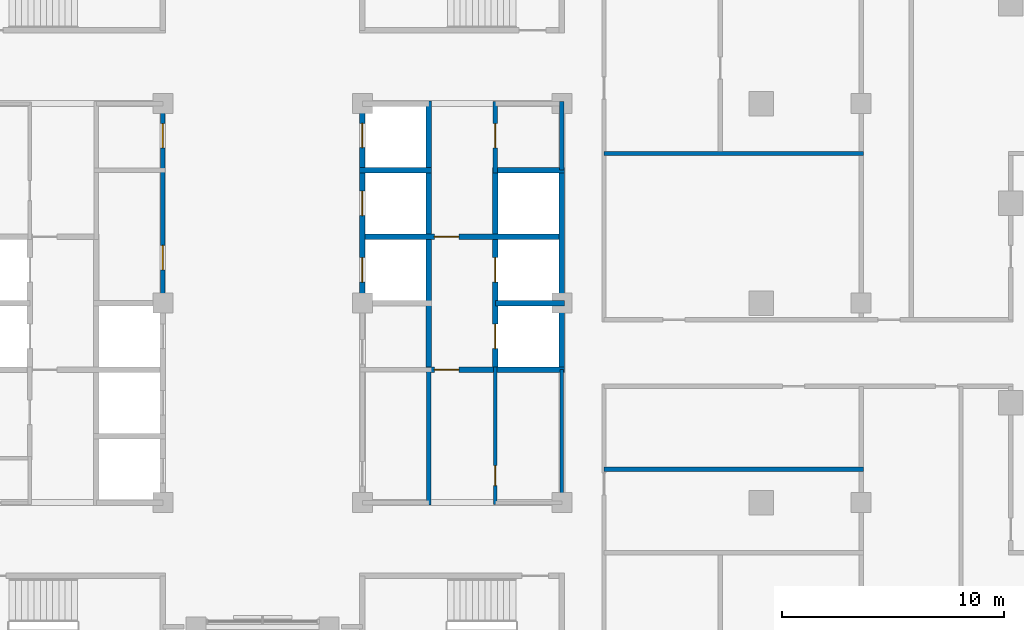
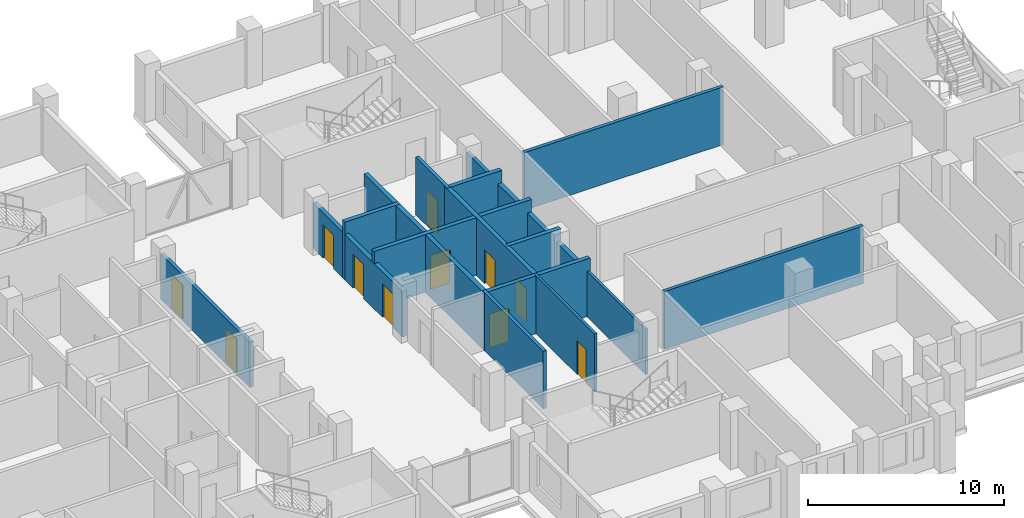
# One storey, part 9 of 16: 17 walls, 11 doors, 11 openings.
"""IFC4 building model written with IfcOpenShell, lengths in metres."""

from ifc_helpers import new_model, si_unit, direction, frame, frame_2d, origin, place, context, subcontext, project, spatial, rectangle, extrude, material, layer, layer_set, type_object, element, fill, save


model = new_model("IFC4")

# Units and contexts
model_context = context("Model", 3, precision=1e-05, world=origin(), true_north=direction((0.0, 1.0)))
body_context = subcontext(model_context, "Body", "Model", "MODEL_VIEW")
ifc_project = project(units=[si_unit("LENGTHUNIT", "METRE"), si_unit("AREAUNIT", "SQUARE_METRE"), si_unit("VOLUMEUNIT", "CUBIC_METRE"), si_unit("PLANEANGLEUNIT", "RADIAN"), si_unit("MASSUNIT", "GRAM", prefix="KILO")], contexts=[model_context])

# Site, building, storey
site_placement = place(None, origin())
site = spatial("IfcSite", under=ifc_project, at=site_placement, CompositionType="ELEMENT")
building_placement = place(site_placement, origin())
building = spatial("IfcBuilding", under=site, at=building_placement, Name="Corbelhall Arena Tower", CompositionType="ELEMENT")
storey_placement = place(building_placement, frame((0.0, 0.0, 174.0)))
storey = spatial("IfcBuildingStorey", under=building, at=storey_placement, Name="L35", CompositionType="ELEMENT", Elevation=174.0)

# Walls
ifc_material_1 = material(Name="Gypsum board on steel stud, acoustic", Category="steel")
ifc_layer_1 = layer(ifc_material_1, 0.199951171875)
ifc_layer_set_1 = layer_set([ifc_layer_1], Name="IN-W-DM200")
wall_type_1 = type_object("IfcWallType", Name="IN-W-DM200", PredefinedType="PARTITIONING", material=ifc_layer_set_1)
for number, where, z_axis, x_axis, name in (
    (1, (15.39990234375, -7.5, 0.0), (0.0, 0.0, 1.0), (1.0, 0.0, 0.0), "Partition 032"),
    (2, (15.39990234375, 6.75, 0.0), (0.0, 0.0, 1.0), (1.0, 0.0, 0.0), "Partition 034"),
):
    element("IfcWall", number, at=place(storey_placement, frame(where, z_axis=z_axis, x_axis=x_axis)), inside=storey, type_object=wall_type_1, Name=name, PredefinedType="PARTITIONING", context=body_context, shape_type="SweptSolid", body=[
        extrude(rectangle(XDim=11.7001953125, YDim=0.199951171875, at=frame_2d((5.85009765625, 0.0))), origin(), (0.0, 0.0, 1.0), 3.590087890625),
    ])
ifc_material_2 = material(Name="Concrete block wall", Category="concrete")
ifc_layer_2 = layer(ifc_material_2, 0.199951171875)
ifc_layer_set_2 = layer_set([ifc_layer_2], Name="IN-W-RS200")
wall_type_2 = type_object("IfcWallType", Name="IN-W-RS200", PredefinedType="SOLIDWALL", material=ifc_layer_set_2)
wall_1_placement = place(storey_placement, frame((7.5, -2.875, 0.0), z_axis=(0.0, 0.0, 1.0), x_axis=(0.0, -1.0, 0.0)))
element("IfcWall", 3, at=wall_1_placement, inside=storey, type_object=wall_type_2, Name="Partition 057", PredefinedType="SOLIDWALL", context=body_context, shape_type="SweptSolid", body=[
    extrude(rectangle(XDim=6.22509765625, YDim=0.199951171875, at=frame_2d((3.112548828125, 0.0))), origin(), (0.0, 0.0, 1.0), 3.590087890625),
])

# Wall, opening, door
wall_2_placement = place(storey_placement, frame((10.5, 9.10009765625, 0.0), z_axis=(0.0, 0.0, 1.0), x_axis=(0.0, -1.0, 0.0)))
wall_2 = element("IfcWall", 4, at=wall_2_placement, inside=storey, type_object=wall_type_2, Name="Partition 059", PredefinedType="SOLIDWALL", context=body_context, shape_type="SweptSolid", body=[
    extrude(rectangle(XDim=3.22509765625, YDim=0.199951171875, at=frame_2d((1.612548828125, 0.0))), origin(), (0.0, 0.0, 1.0), 3.590087890625),
])
opening_1_placement = place(wall_2_placement, frame((1.0, 0.0, 0.0)))
opening_1 = element("IfcOpeningElement", 5, at=opening_1_placement, cuts=wall_2, Name="Opening 10013", PredefinedType="OPENING", context=body_context, shape_type="SweptSolid", body=[
    extrude(rectangle(XDim=1.10009765625, YDim=2.10009765625, at=frame_2d((0.550048828125, 1.050048828125))), frame((0.0, 0.10009765625, 0.0), z_axis=(0.0, -1.0, 0.0), x_axis=(1.0, 0.0, 0.0)), (0.0, 0.0, 1.0), 0.199951171875),
])
ifc_material_3 = material(Name="Steel door set", Category="steel")
door_type_1 = type_object("IfcDoorType", Name="IN-D-FD110", OperationType="NOTDEFINED", PredefinedType="DOOR", material=ifc_material_3)
door_1_placement = place(opening_1_placement, origin())
door_1 = element("IfcDoor", 6, at=door_1_placement, inside=storey, type_object=door_type_1, Name="Door 013", OperationType="SINGLE_SWING_RIGHT", OverallHeight=2.10009765625, OverallWidth=1.10009765625, PredefinedType="DOOR", context=body_context, shape_type="SweptSolid", body=[
    extrude(rectangle(XDim=1.10009765625, YDim=2.10009765625, at=frame_2d((0.550048828125, 1.050048828125))), frame((0.0, 0.02490234375, 0.0), z_axis=(0.0, -1.0, 0.0), x_axis=(1.0, 0.0, 0.0)), (0.0, 0.0, 1.0), 0.050048828125),
])
fill(opening_1, door_1)

# Wall, openings, doors
ifc_layer_3 = layer(ifc_material_2, 0.199951171875)
ifc_layer_set_3 = layer_set([ifc_layer_3], Name="IN-W-RS200 under beam 762 mm")
wall_type_3 = type_object("IfcWallType", Name="IN-W-RS200 under beam 762 mm", PredefinedType="SOLIDWALL", material=ifc_layer_set_3)
wall_3_placement = place(storey_placement, frame((-4.5, 9.10009765625, 0.0), z_axis=(0.0, 0.0, 1.0), x_axis=(0.0, -1.0, 0.0)))
wall_3 = element("IfcWall", 7, at=wall_3_placement, inside=storey, type_object=wall_type_3, Name="Partition 053", PredefinedType="SOLIDWALL", context=body_context, shape_type="SweptSolid", body=[
    extrude(rectangle(XDim=9.10009765625, YDim=0.199951171875, at=frame_2d((4.550048828125, 0.0))), origin(), (0.0, 0.0, 1.0), 2.827880859375),
])
opening_2_placement = place(wall_3_placement, frame((6.5, 0.0, 0.0)))
opening_2 = element("IfcOpeningElement", 8, at=opening_2_placement, cuts=wall_3, Name="Opening 10001", PredefinedType="OPENING", context=body_context, shape_type="SweptSolid", body=[
    extrude(rectangle(XDim=1.10009765625, YDim=2.10009765625, at=frame_2d((0.550048828125, 1.050048828125))), frame((0.0, 0.10009765625, 0.0), z_axis=(0.0, -1.0, 0.0), x_axis=(1.0, 0.0, 0.0)), (0.0, 0.0, 1.0), 0.199951171875),
])
opening_3_placement = place(wall_3_placement, frame((1.0, 0.0, 0.0)))
opening_3 = element("IfcOpeningElement", 9, at=opening_3_placement, cuts=wall_3, Name="Opening 10002", PredefinedType="OPENING", context=body_context, shape_type="SweptSolid", body=[
    extrude(rectangle(XDim=1.10009765625, YDim=2.10009765625, at=frame_2d((0.550048828125, 1.050048828125))), frame((0.0, 0.10009765625, 0.0), z_axis=(0.0, -1.0, 0.0), x_axis=(1.0, 0.0, 0.0)), (0.0, 0.0, 1.0), 0.199951171875),
])
door_2_placement = place(opening_2_placement, origin())
door_2 = element("IfcDoor", 10, at=door_2_placement, inside=storey, type_object=door_type_1, Name="Door 001", OperationType="SINGLE_SWING_RIGHT", OverallHeight=2.10009765625, OverallWidth=1.10009765625, PredefinedType="DOOR", context=body_context, shape_type="SweptSolid", body=[
    extrude(rectangle(XDim=1.10009765625, YDim=2.10009765625, at=frame_2d((0.550048828125, 1.050048828125))), frame((0.0, 0.02490234375, 0.0), z_axis=(0.0, -1.0, 0.0), x_axis=(1.0, 0.0, 0.0)), (0.0, 0.0, 1.0), 0.050048828125),
])
fill(opening_2, door_2)
door_3_placement = place(opening_3_placement, origin())
door_3 = element("IfcDoor", 11, at=door_3_placement, inside=storey, type_object=door_type_1, Name="Door 002", OperationType="SINGLE_SWING_LEFT", OverallHeight=2.10009765625, OverallWidth=1.10009765625, PredefinedType="DOOR", context=body_context, shape_type="SweptSolid", body=[
    extrude(rectangle(XDim=1.10009765625, YDim=2.10009765625, at=frame_2d((0.550048828125, 1.050048828125))), frame((0.0, 0.02490234375, 0.0), z_axis=(0.0, -1.0, 0.0), x_axis=(1.0, 0.0, 0.0)), (0.0, 0.0, 1.0), 0.050048828125),
])
fill(opening_3, door_3)

# Wall
wall_4_placement = place(storey_placement, frame((13.5, 9.10009765625, 0.0), z_axis=(0.0, 0.0, 1.0), x_axis=(0.0, -1.0, 0.0)))
element("IfcWall", 12, at=wall_4_placement, inside=storey, type_object=wall_type_3, Name="Partition 060", PredefinedType="SOLIDWALL", context=body_context, shape_type="SweptSolid", body=[
    extrude(rectangle(XDim=3.10009765625, YDim=0.199951171875, at=frame_2d((1.550048828125, 0.0))), origin(), (0.0, 0.0, 1.0), 2.827880859375),
])

# Wall, opening, door
ifc_material_4 = material(Name="Concrete C40/50", Category="concrete")
ifc_layer_4 = layer(ifc_material_4, 0.25)
ifc_layer_set_4 = layer_set([ifc_layer_4], Name="IN-W-SH250")
wall_type_4 = type_object("IfcWallType", Name="IN-W-SH250", PredefinedType="SOLIDWALL", material=ifc_layer_set_4)
wall_5_placement = place(storey_placement, frame((4.375, 3.0, 0.0), z_axis=(0.0, 0.0, 1.0), x_axis=(1.0, 0.0, 0.0)))
wall_5 = element("IfcWall", 13, at=wall_5_placement, inside=storey, type_object=wall_type_4, Name="Shaft wall 072", PredefinedType="SOLIDWALL", context=body_context, shape_type="SweptSolid", body=[
    extrude(rectangle(XDim=9.25, YDim=0.25, at=frame_2d((4.625, 0.0))), origin(), (0.0, 0.0, 1.0), 3.590087890625),
])
opening_4_placement = place(wall_5_placement, frame((3.375, 0.0, 0.0)))
opening_4 = element("IfcOpeningElement", 14, at=opening_4_placement, cuts=wall_5, Name="Opening 10011", PredefinedType="OPENING", context=body_context, shape_type="SweptSolid", body=[
    extrude(rectangle(XDim=1.10009765625, YDim=2.10009765625, at=frame_2d((0.550048828125, 1.050048828125))), frame((0.0, 0.125, 0.0), z_axis=(0.0, -1.0, 0.0), x_axis=(1.0, 0.0, 0.0)), (0.0, 0.0, 1.0), 0.25),
])
door_4_placement = place(opening_4_placement, origin())
door_4 = element("IfcDoor", 15, at=door_4_placement, inside=storey, type_object=door_type_1, Name="Door 011", OperationType="SINGLE_SWING_RIGHT", OverallHeight=2.10009765625, OverallWidth=1.10009765625, PredefinedType="DOOR", context=body_context, shape_type="SweptSolid", body=[
    extrude(rectangle(XDim=1.10009765625, YDim=2.10009765625, at=frame_2d((0.550048828125, 1.050048828125))), frame((0.0, 0.02490234375, 0.0), z_axis=(0.0, -1.0, 0.0), x_axis=(1.0, 0.0, 0.0)), (0.0, 0.0, 1.0), 0.050048828125),
])
fill(opening_4, door_4)

# Wall
wall_6_placement = place(storey_placement, frame((4.375, 6.0, 0.0), z_axis=(0.0, 0.0, 1.0), x_axis=(1.0, 0.0, 0.0)))
element("IfcWall", 16, at=wall_6_placement, inside=storey, type_object=wall_type_4, Name="Shaft wall 073", PredefinedType="SOLIDWALL", context=body_context, shape_type="SweptSolid", body=[
    extrude(rectangle(XDim=3.25, YDim=0.25, at=frame_2d((1.625, 0.0))), origin(), (0.0, 0.0, 1.0), 3.590087890625),
])

# Wall, opening, door
wall_7_placement = place(storey_placement, frame((7.5, -3.0, 0.0), z_axis=(0.0, 0.0, 1.0), x_axis=(1.0, 0.0, 0.0)))
wall_7 = element("IfcWall", 17, at=wall_7_placement, inside=storey, type_object=wall_type_4, Name="Shaft wall 076", PredefinedType="SOLIDWALL", context=body_context, shape_type="SweptSolid", body=[
    extrude(rectangle(XDim=6.125, YDim=0.25, at=frame_2d((3.0625, 0.0))), origin(), (0.0, 0.0, 1.0), 3.590087890625),
])
opening_5_placement = place(wall_7_placement, frame((0.25, 0.0, 0.0)))
opening_5 = element("IfcOpeningElement", 18, at=opening_5_placement, cuts=wall_7, Name="Opening 10010", PredefinedType="OPENING", context=body_context, shape_type="SweptSolid", body=[
    extrude(rectangle(XDim=1.10009765625, YDim=2.10009765625, at=frame_2d((0.550048828125, 1.050048828125))), frame((0.0, 0.125, 0.0), z_axis=(0.0, -1.0, 0.0), x_axis=(1.0, 0.0, 0.0)), (0.0, 0.0, 1.0), 0.25),
])
door_5_placement = place(opening_5_placement, origin())
door_5 = element("IfcDoor", 19, at=door_5_placement, inside=storey, type_object=door_type_1, Name="Door 010", OperationType="SINGLE_SWING_LEFT", OverallHeight=2.10009765625, OverallWidth=1.10009765625, PredefinedType="DOOR", context=body_context, shape_type="SweptSolid", body=[
    extrude(rectangle(XDim=1.10009765625, YDim=2.10009765625, at=frame_2d((0.550048828125, 1.050048828125))), frame((0.0, 0.02490234375, 0.0), z_axis=(0.0, -1.0, 0.0), x_axis=(1.0, 0.0, 0.0)), (0.0, 0.0, 1.0), 0.050048828125),
])
fill(opening_5, door_5)

# Walls
wall_8_placement = place(storey_placement, frame((7.5, 9.125, 0.0), z_axis=(0.0, 0.0, 1.0), x_axis=(0.0, -1.0, 0.0)))
element("IfcWall", 20, at=wall_8_placement, inside=storey, type_object=wall_type_4, Name="Shaft wall 077", PredefinedType="SOLIDWALL", context=body_context, shape_type="SweptSolid", body=[
    extrude(rectangle(XDim=12.25, YDim=0.25, at=frame_2d((6.125, 0.0))), origin(), (0.0, 0.0, 1.0), 3.590087890625),
])
wall_9_placement = place(storey_placement, frame((10.5, 0.0, 0.0), z_axis=(0.0, 0.0, 1.0), x_axis=(1.0, 0.0, 0.0)))
element("IfcWall", 21, at=wall_9_placement, inside=storey, type_object=wall_type_4, Name="Shaft wall 078", PredefinedType="SOLIDWALL", context=body_context, shape_type="SweptSolid", body=[
    extrude(rectangle(XDim=3.125, YDim=0.25, at=frame_2d((1.5625, 0.0))), origin(), (0.0, 0.0, 1.0), 3.590087890625),
])

# Wall, openings, doors
wall_10_placement = place(storey_placement, frame((10.5, 6.125, 0.0), z_axis=(0.0, 0.0, 1.0), x_axis=(0.0, -1.0, 0.0)))
wall_10 = element("IfcWall", 22, at=wall_10_placement, inside=storey, type_object=wall_type_4, Name="Shaft wall 079", PredefinedType="SOLIDWALL", context=body_context, shape_type="SweptSolid", body=[
    extrude(rectangle(XDim=9.25, YDim=0.25, at=frame_2d((4.625, 0.0))), origin(), (0.0, 0.0, 1.0), 3.590087890625),
])
opening_6_placement = place(wall_10_placement, frame((7.074951171875, 0.0, 0.0)))
opening_6 = element("IfcOpeningElement", 23, at=opening_6_placement, cuts=wall_10, Name="Opening LD", PredefinedType="OPENING", context=body_context, shape_type="SweptSolid", body=[
    extrude(rectangle(XDim=1.10009765625, YDim=2.10009765625, at=frame_2d((0.550048828125, 1.050048828125))), frame((0.0, 0.125, 0.0), z_axis=(0.0, -1.0, 0.0), x_axis=(1.0, 0.0, 0.0)), (0.0, 0.0, 1.0), 0.25),
])
opening_7_placement = place(wall_10_placement, frame((4.074951171875, 0.0, 0.0)))
opening_7 = element("IfcOpeningElement", 24, at=opening_7_placement, cuts=wall_10, Name="Opening LD", PredefinedType="OPENING", context=body_context, shape_type="SweptSolid", body=[
    extrude(rectangle(XDim=1.10009765625, YDim=2.10009765625, at=frame_2d((0.550048828125, 1.050048828125))), frame((0.0, 0.125, 0.0), z_axis=(0.0, -1.0, 0.0), x_axis=(1.0, 0.0, 0.0)), (0.0, 0.0, 1.0), 0.25),
])
door_type_2 = type_object("IfcDoorType", Name="IN-D-LD110", OperationType="NOTDEFINED", PredefinedType="DOOR", material=ifc_material_3)
door_6_placement = place(opening_6_placement, origin())
door_6 = element("IfcDoor", 25, at=door_6_placement, inside=storey, type_object=door_type_2, Name="Landing door E3", OperationType="SLIDING_TO_LEFT", OverallHeight=2.10009765625, OverallWidth=1.10009765625, PredefinedType="DOOR", context=body_context, shape_type="SweptSolid", body=[
    extrude(rectangle(XDim=1.10009765625, YDim=2.10009765625, at=frame_2d((0.550048828125, 1.050048828125))), frame((0.0, 0.02490234375, 0.0), z_axis=(0.0, -1.0, 0.0), x_axis=(1.0, 0.0, 0.0)), (0.0, 0.0, 1.0), 0.050048828125),
])
fill(opening_6, door_6)
door_7_placement = place(opening_7_placement, origin())
door_7 = element("IfcDoor", 26, at=door_7_placement, inside=storey, type_object=door_type_2, Name="Landing door E4", OperationType="SLIDING_TO_LEFT", OverallHeight=2.10009765625, OverallWidth=1.10009765625, PredefinedType="DOOR", context=body_context, shape_type="SweptSolid", body=[
    extrude(rectangle(XDim=1.10009765625, YDim=2.10009765625, at=frame_2d((0.550048828125, 1.050048828125))), frame((0.0, 0.02490234375, 0.0), z_axis=(0.0, -1.0, 0.0), x_axis=(1.0, 0.0, 0.0)), (0.0, 0.0, 1.0), 0.050048828125),
])
fill(opening_7, door_7)

# Wall
wall_11_placement = place(storey_placement, frame((10.5, 6.0, 0.0), z_axis=(0.0, 0.0, 1.0), x_axis=(1.0, 0.0, 0.0)))
element("IfcWall", 27, at=wall_11_placement, inside=storey, type_object=wall_type_4, Name="Shaft wall 080", PredefinedType="SOLIDWALL", context=body_context, shape_type="SweptSolid", body=[
    extrude(rectangle(XDim=3.125, YDim=0.25, at=frame_2d((1.5625, 0.0))), origin(), (0.0, 0.0, 1.0), 3.590087890625),
])

# Wall, openings, doors
ifc_layer_5 = layer(ifc_material_4, 0.25)
ifc_layer_set_5 = layer_set([ifc_layer_5], Name="IN-W-SH250 under beam 762 mm")
wall_type_5 = type_object("IfcWallType", Name="IN-W-SH250 under beam 762 mm", PredefinedType="SOLIDWALL", material=ifc_layer_set_5)
wall_12_placement = place(storey_placement, frame((4.5, 0.0, 0.0), z_axis=(0.0, 0.0, 1.0), x_axis=(0.0, 1.0, 0.0)))
wall_12 = element("IfcWall", 28, at=wall_12_placement, inside=storey, type_object=wall_type_5, Name="Shaft wall 074", PredefinedType="SOLIDWALL", context=body_context, shape_type="SweptSolid", body=[
    extrude(rectangle(XDim=9.125, YDim=0.25, at=frame_2d((4.5625, 0.0))), origin(), (0.0, 0.0, 1.0), 2.827880859375),
])
opening_8_placement = place(wall_12_placement, frame((0.949951171875, 0.0, 0.0)))
opening_8 = element("IfcOpeningElement", 29, at=opening_8_placement, cuts=wall_12, Name="Opening LD", PredefinedType="OPENING", context=body_context, shape_type="SweptSolid", body=[
    extrude(rectangle(XDim=1.10009765625, YDim=2.10009765625, at=frame_2d((0.550048828125, 1.050048828125))), frame((0.0, 0.125, 0.0), z_axis=(0.0, -1.0, 0.0), x_axis=(1.0, 0.0, 0.0)), (0.0, 0.0, 1.0), 0.25),
])
opening_9_placement = place(wall_12_placement, frame((3.949951171875, 0.0, 0.0)))
opening_9 = element("IfcOpeningElement", 30, at=opening_9_placement, cuts=wall_12, Name="Opening LD", PredefinedType="OPENING", context=body_context, shape_type="SweptSolid", body=[
    extrude(rectangle(XDim=1.10009765625, YDim=2.10009765625, at=frame_2d((0.550048828125, 1.050048828125))), frame((0.0, 0.125, 0.0), z_axis=(0.0, -1.0, 0.0), x_axis=(1.0, 0.0, 0.0)), (0.0, 0.0, 1.0), 0.25),
])
opening_10_placement = place(wall_12_placement, frame((7.012451171875, 0.0, 0.0)))
opening_10 = element("IfcOpeningElement", 31, at=opening_10_placement, cuts=wall_12, Name="Opening LD", PredefinedType="OPENING", context=body_context, shape_type="SweptSolid", body=[
    extrude(rectangle(XDim=1.10009765625, YDim=2.10009765625, at=frame_2d((0.550048828125, 1.050048828125))), frame((0.0, 0.125, 0.0), z_axis=(0.0, -1.0, 0.0), x_axis=(1.0, 0.0, 0.0)), (0.0, 0.0, 1.0), 0.25),
])
door_8_placement = place(opening_8_placement, origin())
door_8 = element("IfcDoor", 32, at=door_8_placement, inside=storey, type_object=door_type_2, Name="Landing door E4", OperationType="SLIDING_TO_LEFT", OverallHeight=2.10009765625, OverallWidth=1.10009765625, PredefinedType="DOOR", context=body_context, shape_type="SweptSolid", body=[
    extrude(rectangle(XDim=1.10009765625, YDim=2.10009765625, at=frame_2d((0.550048828125, 1.050048828125))), frame((0.0, 0.02490234375, 0.0), z_axis=(0.0, -1.0, 0.0), x_axis=(1.0, 0.0, 0.0)), (0.0, 0.0, 1.0), 0.050048828125),
])
fill(opening_8, door_8)
door_9_placement = place(opening_9_placement, origin())
door_9 = element("IfcDoor", 33, at=door_9_placement, inside=storey, type_object=door_type_2, Name="Landing door E5", OperationType="SLIDING_TO_LEFT", OverallHeight=2.10009765625, OverallWidth=1.10009765625, PredefinedType="DOOR", context=body_context, shape_type="SweptSolid", body=[
    extrude(rectangle(XDim=1.10009765625, YDim=2.10009765625, at=frame_2d((0.550048828125, 1.050048828125))), frame((0.0, 0.02490234375, 0.0), z_axis=(0.0, -1.0, 0.0), x_axis=(1.0, 0.0, 0.0)), (0.0, 0.0, 1.0), 0.050048828125),
])
fill(opening_9, door_9)
door_10_placement = place(opening_10_placement, origin())
door_10 = element("IfcDoor", 34, at=door_10_placement, inside=storey, type_object=door_type_2, Name="Landing door E6", OperationType="SLIDING_TO_LEFT", OverallHeight=2.10009765625, OverallWidth=1.10009765625, PredefinedType="DOOR", context=body_context, shape_type="SweptSolid", body=[
    extrude(rectangle(XDim=1.10009765625, YDim=2.10009765625, at=frame_2d((0.550048828125, 1.050048828125))), frame((0.0, 0.02490234375, 0.0), z_axis=(0.0, -1.0, 0.0), x_axis=(1.0, 0.0, 0.0)), (0.0, 0.0, 1.0), 0.050048828125),
])
fill(opening_10, door_10)

# Wall
wall_13_placement = place(storey_placement, frame((13.5, 6.0, 0.0), z_axis=(0.0, 0.0, 1.0), x_axis=(0.0, -1.0, 0.0)))
element("IfcWall", 35, at=wall_13_placement, inside=storey, type_object=wall_type_5, Name="Shaft wall 081", PredefinedType="SOLIDWALL", context=body_context, shape_type="SweptSolid", body=[
    extrude(rectangle(XDim=9.0, YDim=0.25, at=frame_2d((4.5, 0.0))), origin(), (0.0, 0.0, 1.0), 2.827880859375),
])

# Wall, opening, door
ifc_material_5 = material(Name="Gypsum board on steel stud, moisture resistant", Category="steel")
ifc_layer_6 = layer(ifc_material_5, 0.14990234375)
ifc_layer_set_6 = layer_set([ifc_layer_6], Name="IN-W-WC150")
wall_type_6 = type_object("IfcWallType", Name="IN-W-WC150", PredefinedType="PARTITIONING", material=ifc_layer_set_6)
wall_14_placement = place(storey_placement, frame((10.5, -2.875, 0.0), z_axis=(0.0, 0.0, 1.0), x_axis=(0.0, -1.0, 0.0)))
wall_14 = element("IfcWall", 36, at=wall_14_placement, inside=storey, type_object=wall_type_6, Name="Partition 117", PredefinedType="PARTITIONING", context=body_context, shape_type="SweptSolid", body=[
    extrude(rectangle(XDim=6.199951171875, YDim=0.14990234375, at=frame_2d((3.10009765625, 0.0))), origin(), (0.0, 0.0, 1.0), 3.590087890625),
])
opening_11_placement = place(wall_14_placement, frame((4.449951171875, 0.0, 0.0)))
opening_11 = element("IfcOpeningElement", 37, at=opening_11_placement, cuts=wall_14, Name="Opening 10012", PredefinedType="OPENING", context=body_context, shape_type="SweptSolid", body=[
    extrude(rectangle(XDim=0.89990234375, YDim=2.10009765625, at=frame_2d((0.449951171875, 1.050048828125))), frame((0.0, 0.074951171875, 0.0), z_axis=(0.0, -1.0, 0.0), x_axis=(1.0, 0.0, 0.0)), (0.0, 0.0, 1.0), 0.14990234375),
])
ifc_material_6 = material(Name="Timber door set", Category="wood")
door_type_3 = type_object("IfcDoorType", Name="IN-D-SW90", OperationType="NOTDEFINED", PredefinedType="DOOR", material=ifc_material_6)
door_11_placement = place(opening_11_placement, origin())
door_11 = element("IfcDoor", 38, at=door_11_placement, inside=storey, type_object=door_type_3, Name="Door 012", OperationType="SINGLE_SWING_LEFT", OverallHeight=2.10009765625, OverallWidth=0.89990234375, PredefinedType="DOOR", context=body_context, shape_type="SweptSolid", body=[
    extrude(rectangle(XDim=0.89990234375, YDim=2.10009765625, at=frame_2d((0.449951171875, 1.050048828125))), frame((0.0, 0.02490234375, 0.0), z_axis=(0.0, -1.0, 0.0), x_axis=(1.0, 0.0, 0.0)), (0.0, 0.0, 1.0), 0.050048828125),
])
fill(opening_11, door_11)

# Wall
ifc_layer_7 = layer(ifc_material_5, 0.14990234375)
ifc_layer_set_7 = layer_set([ifc_layer_7], Name="IN-W-WC150 under beam 762 mm")
wall_type_7 = type_object("IfcWallType", Name="IN-W-WC150 under beam 762 mm", PredefinedType="PARTITIONING", material=ifc_layer_set_7)
wall_15_placement = place(storey_placement, frame((13.5, -3.0, 0.0), z_axis=(0.0, 0.0, 1.0), x_axis=(0.0, -1.0, 0.0)))
element("IfcWall", 39, at=wall_15_placement, inside=storey, type_object=wall_type_7, Name="Partition 119", PredefinedType="PARTITIONING", context=body_context, shape_type="SweptSolid", body=[
    extrude(rectangle(XDim=6.074951171875, YDim=0.14990234375, at=frame_2d((3.03759765625, 0.0))), origin(), (0.0, 0.0, 1.0), 2.827880859375),
])

save(model, "model.ifc")
